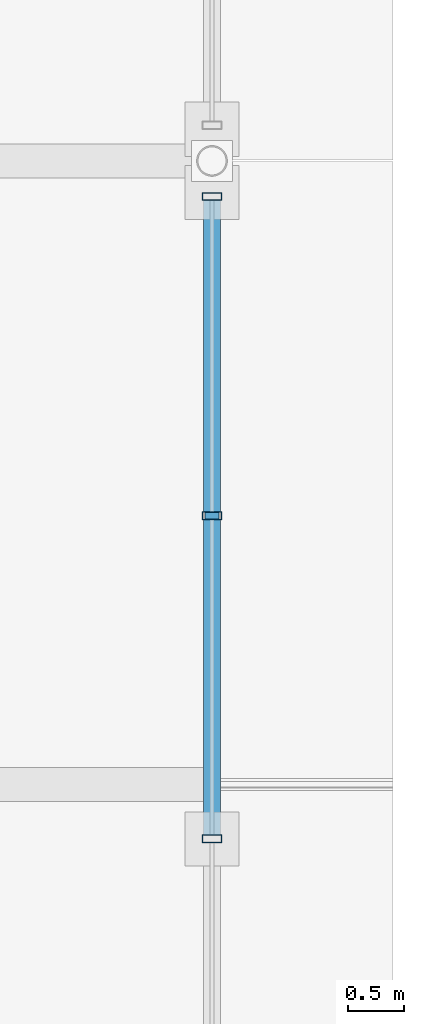
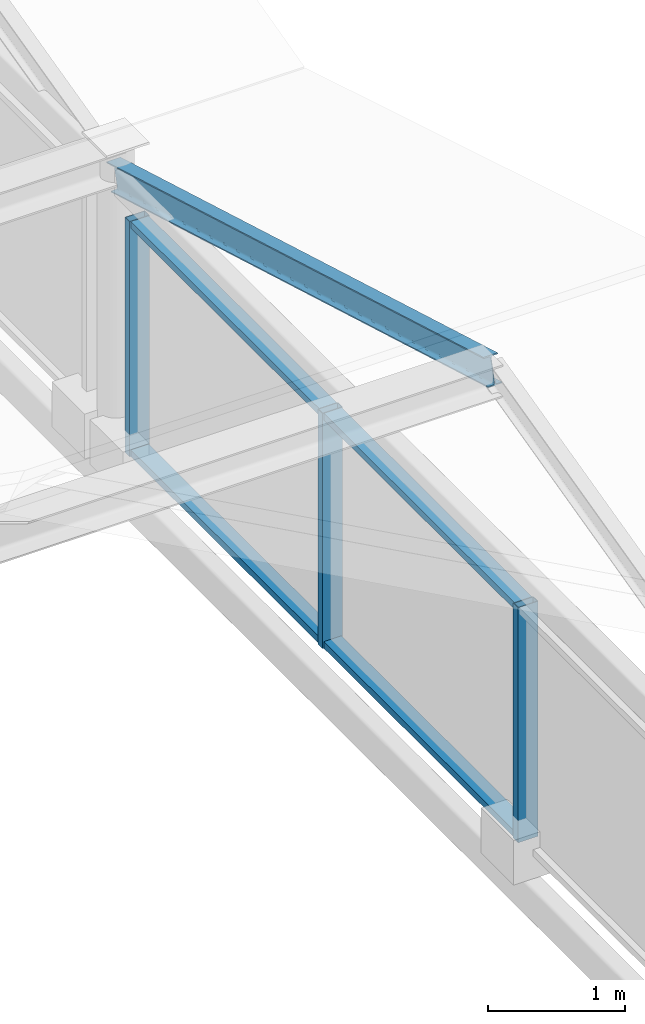
# One storey, part 50 of 117: 8 members, 1 element without a shape of its own.
"""IFC4 building model written with IfcOpenShell, lengths in metres."""

from ifc_helpers import new_model, si_unit, direction, frame, origin, origin_2d, place, context, subcontext, project, spatial, hollow_rectangle, i_section, extrude, material, material_profile, profile_set, type_object, element, aggregate, save


model = new_model("IFC4")

# Units and contexts
model_context = context("Model", 3, precision=1e-05, world=origin(), true_north=direction((0.0, 1.0)))
body_context = subcontext(model_context, "Body", "Model", "MODEL_VIEW")
ifc_project = project(units=[si_unit("LENGTHUNIT", "METRE"), si_unit("AREAUNIT", "SQUARE_METRE"), si_unit("VOLUMEUNIT", "CUBIC_METRE"), si_unit("PLANEANGLEUNIT", "RADIAN"), si_unit("MASSUNIT", "GRAM", prefix="KILO")], contexts=[model_context])

# Site, building, storey
site_placement = place(None, origin())
site = spatial("IfcSite", under=ifc_project, at=site_placement, CompositionType="ELEMENT")
building_placement = place(site_placement, origin())
building = spatial("IfcBuilding", under=site, at=building_placement, Name="Merenkruunu Market Hall", CompositionType="ELEMENT")
storey_placement = place(building_placement, frame((0.0, 0.0, 10.199951171875)))
storey = spatial("IfcBuildingStorey", under=building, at=storey_placement, Name="L02", CompositionType="ELEMENT", Elevation=10.199951171875)

# Curtain wall, members
ifc_material_1 = material(Name="Powder-coated aluminium", Category="aluminium")
curtain_wall_type = type_object("IfcCurtainWallType", Name="Clerestory Curtain Band CL02", PredefinedType="USERDEFINED", material=ifc_material_1)
curtain_wall_placement = place(storey_placement, origin())
curtain_wall = element("IfcCurtainWall", 1, at=curtain_wall_placement, inside=storey, type_object=curtain_wall_type, Name="CW-L02-CWM04-161", ObjectType="CLERESTORY_BAND", PredefinedType="USERDEFINED")
ifc_material_profile_1 = material_profile(ifc_material_1, hollow_rectangle(XDim=0.070068359375, YDim=0.169921875, WallThickness=0.0048828125, at=origin_2d()), Name="ALU 70x170x5")
ifc_profile_set_1 = profile_set([ifc_material_profile_1], Name="Powder-coated aluminium")
member_type_1 = type_object("IfcMemberType", Name="Curtain Wall Mullion CWM04", PredefinedType="MULLION", material=ifc_profile_set_1)
member_1_placement = place(storey_placement, frame((76.800048828125, 63.284912109375, 0.0), z_axis=(0.0, 0.0, 1.0), x_axis=(0.0, -1.0, 0.0)))
member_1 = element("IfcMember", 2, at=member_1_placement, type_object=member_type_1, Name="CL02 mullion 1", PredefinedType="MULLION", context=body_context, shape_type="SweptSolid", body=[
    extrude(hollow_rectangle(XDim=0.070068359375, YDim=0.169921875, WallThickness=0.0048828125, at=origin_2d()), origin(), (0.0, 0.0, 1.0), 2.10009765625),
])
member_2_placement = place(storey_placement, frame((76.800048828125, 60.4599609375, 0.0), z_axis=(0.0, 0.0, 1.0), x_axis=(0.0, -1.0, 0.0)))
member_2 = element("IfcMember", 3, at=member_2_placement, type_object=member_type_1, Name="CL02 mullion 2", PredefinedType="MULLION", context=body_context, shape_type="SweptSolid", body=[
    extrude(hollow_rectangle(XDim=0.070068359375, YDim=0.169921875, WallThickness=0.0048828125, at=origin_2d()), origin(), (0.0, 0.0, 1.0), 2.10009765625),
])
member_3_placement = place(storey_placement, frame((76.800048828125, 57.60009765625, 0.0), z_axis=(0.0, 0.0, 1.0), x_axis=(0.0, -1.0, 0.0)))
member_3 = element("IfcMember", 4, at=member_3_placement, type_object=member_type_1, Name="CL02 mullion 3", PredefinedType="MULLION", context=body_context, shape_type="SweptSolid", body=[
    extrude(hollow_rectangle(XDim=0.070068359375, YDim=0.169921875, WallThickness=0.0048828125, at=origin_2d()), origin(), (0.0, 0.0, 1.0), 2.10009765625),
])
ifc_material_profile_2 = material_profile(ifc_material_1, hollow_rectangle(XDim=0.06005859375, YDim=0.14990234375, WallThickness=0.00390625, at=origin_2d()), Name="ALU 60x150x4")
ifc_profile_set_2 = profile_set([ifc_material_profile_2], Name="Powder-coated aluminium")
member_type_2 = type_object("IfcMemberType", Name="Curtain Wall Transom CWT04", PredefinedType="USERDEFINED", material=ifc_profile_set_2)
member_4_placement = place(storey_placement, frame((76.800048828125, 63.25, 0.030029296875), z_axis=(0.0, -1.0, 0.0), x_axis=(0.0, 0.0, 1.0)))
member_4 = element("IfcMember", 5, at=member_4_placement, type_object=member_type_2, Name="CL02 transom 1.1", ObjectType="TRANSOM", PredefinedType="USERDEFINED", context=body_context, shape_type="SweptSolid", body=[
    extrude(hollow_rectangle(XDim=0.06005859375, YDim=0.14990234375, WallThickness=0.00390625, at=origin_2d()), origin(), (0.0, 0.0, 1.0), 2.7548828125),
])
member_5_placement = place(storey_placement, frame((76.800048828125, 63.25, 2.070068359375), z_axis=(0.0, -1.0, 0.0), x_axis=(0.0, 0.0, 1.0)))
member_5 = element("IfcMember", 6, at=member_5_placement, type_object=member_type_2, Name="CL02 transom 1.2", ObjectType="TRANSOM", PredefinedType="USERDEFINED", context=body_context, shape_type="SweptSolid", body=[
    extrude(hollow_rectangle(XDim=0.06005859375, YDim=0.14990234375, WallThickness=0.00390625, at=origin_2d()), origin(), (0.0, 0.0, 1.0), 2.7548828125),
])
member_6_placement = place(storey_placement, frame((76.800048828125, 60.425048828125, 0.030029296875), z_axis=(0.0, -1.0, 0.0), x_axis=(0.0, 0.0, 1.0)))
member_6 = element("IfcMember", 7, at=member_6_placement, type_object=member_type_2, Name="CL02 transom 2.1", ObjectType="TRANSOM", PredefinedType="USERDEFINED", context=body_context, shape_type="SweptSolid", body=[
    extrude(hollow_rectangle(XDim=0.06005859375, YDim=0.14990234375, WallThickness=0.00390625, at=origin_2d()), origin(), (0.0, 0.0, 1.0), 2.7900390625),
])
member_7_placement = place(storey_placement, frame((76.800048828125, 60.425048828125, 2.070068359375), z_axis=(0.0, -1.0, 0.0), x_axis=(0.0, 0.0, 1.0)))
member_7 = element("IfcMember", 8, at=member_7_placement, type_object=member_type_2, Name="CL02 transom 2.2", ObjectType="TRANSOM", PredefinedType="USERDEFINED", context=body_context, shape_type="SweptSolid", body=[
    extrude(hollow_rectangle(XDim=0.06005859375, YDim=0.14990234375, WallThickness=0.00390625, at=origin_2d()), origin(), (0.0, 0.0, 1.0), 2.7900390625),
])
aggregate(curtain_wall, [member_1, member_2, member_3, member_4, member_5, member_6, member_7])

# Member
ifc_material_2 = material(Name="Steel S355ML", Category="steel")
ifc_material_profile_3 = material_profile(ifc_material_2, i_section(OverallWidth=0.1201171875, OverallDepth=0.239990234375, WebThickness=0.006103515625, FlangeThickness=0.009765625, FilletRadius=0.014892578125, at=origin_2d()), Name="IPE 240")
ifc_profile_set_3 = profile_set([ifc_material_profile_3], Name="Steel S355ML")
member_type_3 = type_object("IfcMemberType", Name="Roof Purlin Rafter PR02", PredefinedType="PURLIN", material=ifc_profile_set_3)
member_8_placement = place(storey_placement, frame((76.800048828125, 58.080078125, 3.880126953125), z_axis=(0.0, 0.960462085918, -0.27841081429), x_axis=(-1.0, 0.0, 0.0)))
element("IfcMember", 9, at=member_8_placement, inside=storey, type_object=member_type_3, Name="MEM-V4-SAWR-016", PredefinedType="PURLIN", context=body_context, shape_type="SweptSolid", body=[
    extrude(i_section(OverallWidth=0.1201171875, OverallDepth=0.239990234375, WebThickness=0.006103515625, FlangeThickness=0.009765625, FilletRadius=0.014892578125, at=origin_2d()), origin(), (0.0, 0.0, 1.0), 5.747314453125),
])

save(model, "model.ifc")
